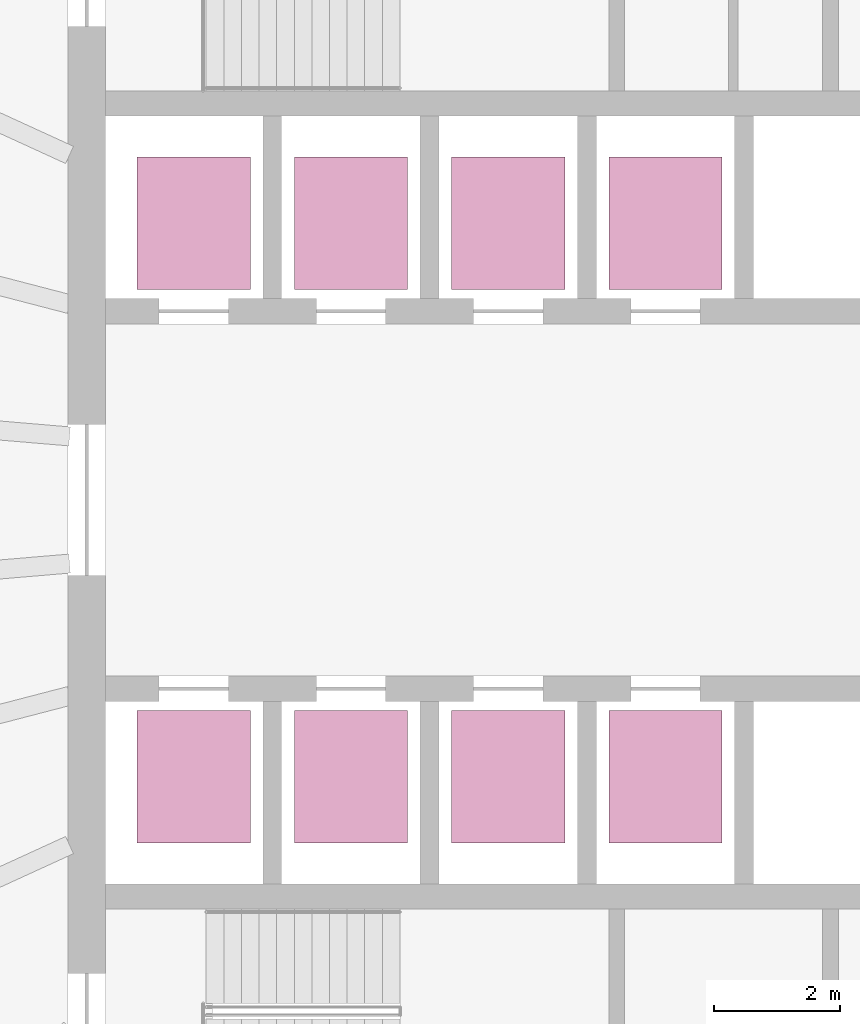
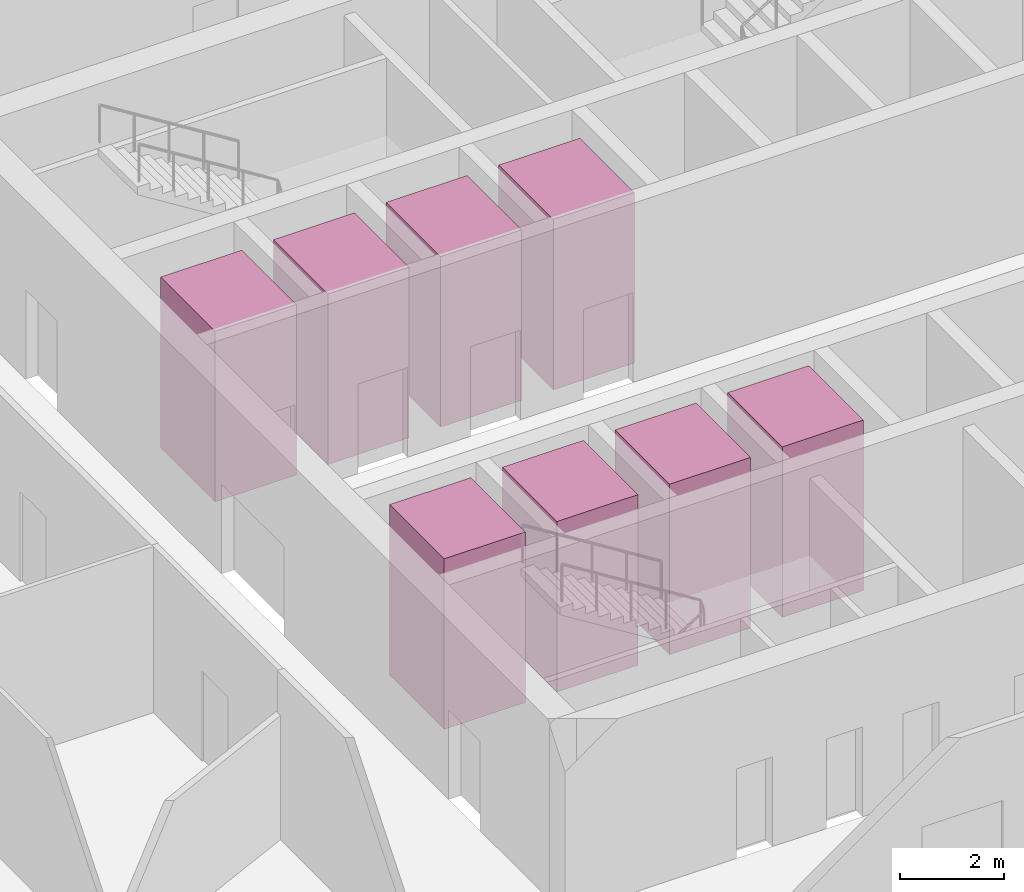
# One storey, part 10 of 10: 8 transport elements.
"""IFC4 building model written with IfcOpenShell, lengths in metres."""

from ifc_helpers import new_model, si_unit, direction, frame, origin, origin_2d, place, context, subcontext, project, spatial, rectangle, extrude, material, type_object, element, save


model = new_model("IFC4")

# Units and contexts
model_context = context("Model", 3, precision=1e-05, world=origin(), true_north=direction((0.0, 1.0)))
body_context = subcontext(model_context, "Body", "Model", "MODEL_VIEW")
ifc_project = project(units=[si_unit("LENGTHUNIT", "METRE"), si_unit("AREAUNIT", "SQUARE_METRE"), si_unit("VOLUMEUNIT", "CUBIC_METRE"), si_unit("PLANEANGLEUNIT", "RADIAN"), si_unit("MASSUNIT", "GRAM", prefix="KILO")], contexts=[model_context])

# Site, building, storey
site_placement = place(None, origin())
site = spatial("IfcSite", under=ifc_project, at=site_placement, CompositionType="ELEMENT")
building_placement = place(site_placement, origin())
building = spatial("IfcBuilding", under=site, at=building_placement, Name="Halqa Exchange Tower", CompositionType="ELEMENT")
storey_placement = place(building_placement, frame((0.0, 0.0, 65.5)))
storey = spatial("IfcBuildingStorey", under=building, at=storey_placement, Name="L14", CompositionType="ELEMENT", Elevation=65.5)

# Transport elements
ifc_material = material(Name="Stainless steel", Category="steel")
transport_element_type = type_object("IfcTransportElementType", Name="Low-rise passenger lift 1800 x 2100", PredefinedType="ELEVATOR", material=ifc_material)
for number, where, z_axis, x_axis, name in (
    (1, (-10.0, 4.39990234375, 0.0), (0.0, 0.0, 1.0), (1.0, 0.0, 0.0), "Low-rise passenger lift LR1"),
    (2, (-7.5, 4.39990234375, 0.0), (0.0, 0.0, 1.0), (1.0, 0.0, 0.0), "Low-rise passenger lift LR2"),
    (3, (-5.0, 4.39990234375, 0.0), (0.0, 0.0, 1.0), (1.0, 0.0, 0.0), "Low-rise passenger lift LR3"),
    (4, (-2.5, 4.39990234375, 0.0), (0.0, 0.0, 1.0), (1.0, 0.0, 0.0), "Low-rise passenger lift LR4"),
    (5, (-10.0, -4.39990234375, 0.0), (0.0, 0.0, 1.0), (1.0, 0.0, 0.0), "Low-rise passenger lift LR5"),
    (6, (-7.5, -4.39990234375, 0.0), (0.0, 0.0, 1.0), (1.0, 0.0, 0.0), "Low-rise passenger lift LR6"),
    (7, (-5.0, -4.39990234375, 0.0), (0.0, 0.0, 1.0), (1.0, 0.0, 0.0), "Low-rise passenger lift LR7"),
    (8, (-2.5, -4.39990234375, 0.0), (0.0, 0.0, 1.0), (1.0, 0.0, 0.0), "Low-rise passenger lift LR8"),
):
    element("IfcTransportElement", number, at=place(storey_placement, frame(where, z_axis=z_axis, x_axis=x_axis)), inside=storey, type_object=transport_element_type, Name=name, PredefinedType="ELEVATOR", context=body_context, shape_type="SweptSolid", body=[
        extrude(rectangle(XDim=1.800048828125, YDim=2.10009765625, at=origin_2d()), origin(), (0.0, 0.0, 1.0), 4.0),
    ])

save(model, "model.ifc")
